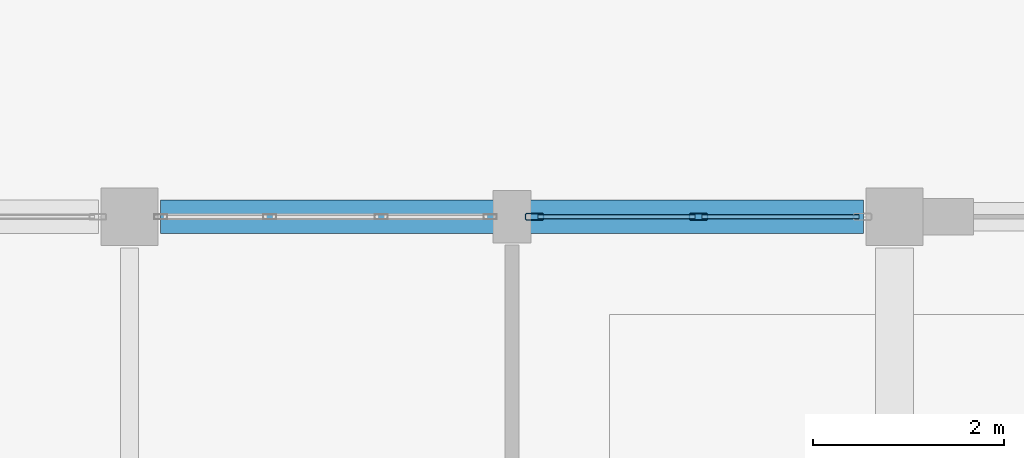
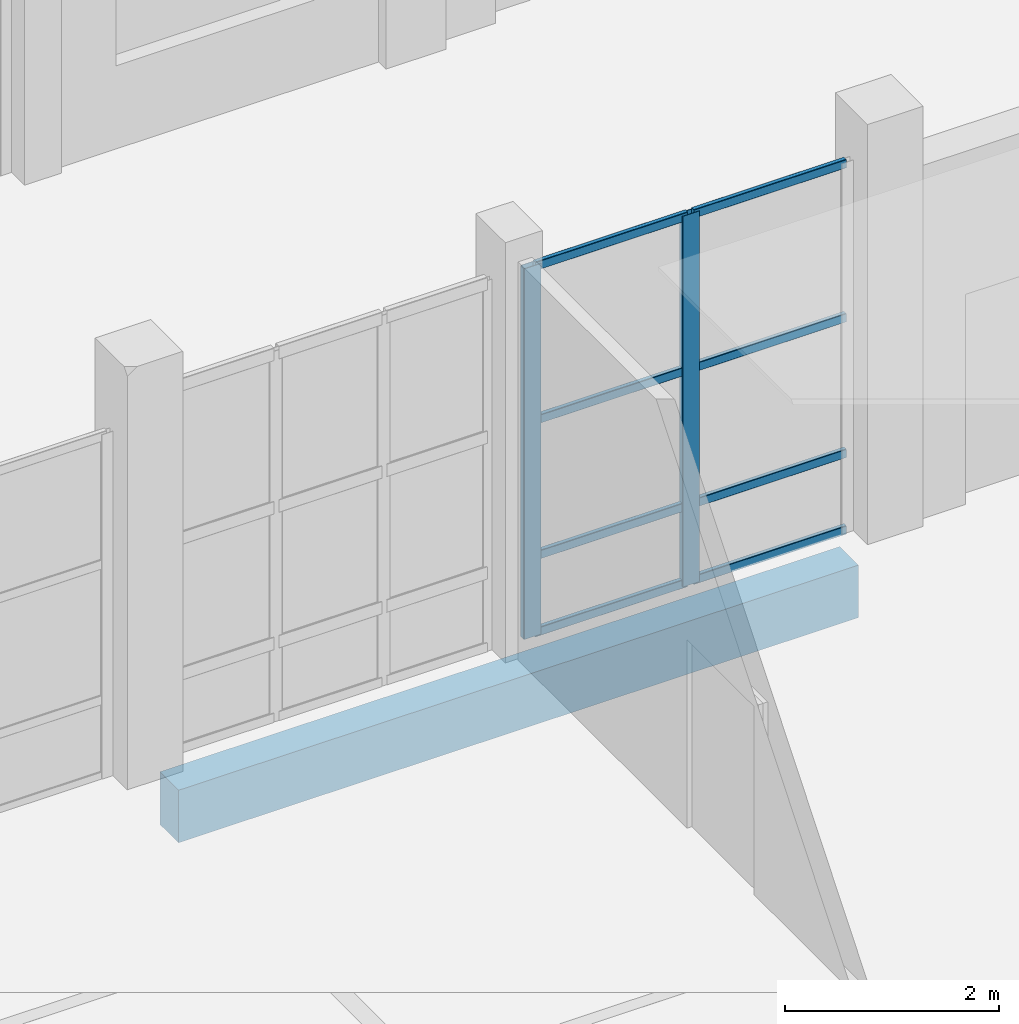
# One storey, part 65 of 156: 10 members, 1 beam, 1 element without a shape of its own.
"""IFC4 building model written with IfcOpenShell, lengths in metres."""

from ifc_helpers import new_model, si_unit, direction, frame, origin, origin_2d, place, context, subcontext, project, spatial, rectangle, hollow_rectangle, extrude, material, material_profile, profile_set, type_object, element, aggregate, save


model = new_model("IFC4")

# Units and contexts
model_context = context("Model", 3, precision=1e-05, world=origin(), true_north=direction((0.0, 1.0)))
body_context = subcontext(model_context, "Body", "Model", "MODEL_VIEW")
ifc_project = project(units=[si_unit("LENGTHUNIT", "METRE"), si_unit("AREAUNIT", "SQUARE_METRE"), si_unit("VOLUMEUNIT", "CUBIC_METRE"), si_unit("PLANEANGLEUNIT", "RADIAN"), si_unit("MASSUNIT", "GRAM", prefix="KILO")], contexts=[model_context])

# Site, building, storey
site_placement = place(None, origin())
site = spatial("IfcSite", under=ifc_project, at=site_placement, CompositionType="ELEMENT")
building_placement = place(site_placement, origin())
building = spatial("IfcBuilding", under=site, at=building_placement, Name="Luwemba Playhouse", CompositionType="ELEMENT")
storey_placement = place(building_placement, origin())
storey = spatial("IfcBuildingStorey", under=building, at=storey_placement, Name="L00", CompositionType="ELEMENT", Elevation=0.0)

# Beam
ifc_material_1 = material(Name="Concrete C40/50", Category="concrete")
ifc_material_profile_1 = material_profile(ifc_material_1, rectangle(XDim=0.35009765625, YDim=0.60009765625, at=origin_2d()))
ifc_profile_set_1 = profile_set([ifc_material_profile_1], Name="Concrete C40/50")
beam_type = type_object("IfcBeamType", Name="BM-SP3", PredefinedType="SPANDREL", material=ifc_profile_set_1)
beam_placement = place(storey_placement, frame((140.324951171875, 27.0, -0.60009765625), z_axis=(1.0, 0.0, 0.0), x_axis=(0.0, 1.0, 0.0)))
element("IfcBeam", 1, at=beam_placement, inside=storey, type_object=beam_type, Name="L00 grid girder 0226", PredefinedType="SPANDREL", context=body_context, shape_type="SweptSolid", body=[
    extrude(rectangle(XDim=0.35009765625, YDim=0.60009765625, at=origin_2d()), origin(), (0.0, 0.0, 1.0), 7.35009765625),
])

# Curtain wall, members
ifc_material_2 = material(Name="Solar-control double glazing", Category="glass")
curtain_wall_type = type_object("IfcCurtainWallType", Name="CW-CW53", PredefinedType="USERDEFINED", material=ifc_material_2)
curtain_wall_placement = place(storey_placement, origin())
curtain_wall = element("IfcCurtainWall", 2, at=curtain_wall_placement, inside=storey, type_object=curtain_wall_type, Name="L00 V5E unitised curtain wall 062", ObjectType="UNITISED GLAZING", PredefinedType="USERDEFINED")
ifc_material_3 = material(Name="Aluminium 6063-T6", Category="aluminium")
ifc_material_profile_2 = material_profile(ifc_material_3, hollow_rectangle(XDim=0.070068359375, YDim=0.18994140625, WallThickness=0.0048828125, InnerFilletRadius=0.007568359375, OuterFilletRadius=0.012451171875, at=origin_2d()))
ifc_profile_set_2 = profile_set([ifc_material_profile_2], Name="Aluminium 6063-T6")
member_type_1 = type_object("IfcMemberType", Name="CWM-M4", PredefinedType="MULLION", material=ifc_profile_set_2)
member_1_placement = place(storey_placement, frame((144.235107421875, 27.0, 0.0), z_axis=(0.0, 0.0, 1.0), x_axis=(0.0, 1.0, 0.0)))
member_1 = element("IfcMember", 3, at=member_1_placement, type_object=member_type_1, Name="CW53 mullion 1", PredefinedType="MULLION", context=body_context, shape_type="SweptSolid", body=[
    extrude(hollow_rectangle(XDim=0.070068359375, YDim=0.18994140625, WallThickness=0.0048828125, InnerFilletRadius=0.007568359375, OuterFilletRadius=0.012451171875, at=origin_2d()), origin(), (0.0, 0.0, 1.0), 4.235107421875),
])
member_2_placement = place(storey_placement, frame((145.949951171875, 27.0, 0.0), z_axis=(0.0, 0.0, 1.0), x_axis=(0.0, 1.0, 0.0)))
member_2 = element("IfcMember", 4, at=member_2_placement, type_object=member_type_1, Name="CW53 mullion 2", PredefinedType="MULLION", context=body_context, shape_type="SweptSolid", body=[
    extrude(hollow_rectangle(XDim=0.070068359375, YDim=0.18994140625, WallThickness=0.0048828125, InnerFilletRadius=0.007568359375, OuterFilletRadius=0.012451171875, at=origin_2d()), origin(), (0.0, 0.0, 1.0), 4.235107421875),
])
ifc_material_profile_3 = material_profile(ifc_material_3, hollow_rectangle(XDim=0.050048828125, YDim=0.10009765625, WallThickness=0.00341796875, InnerFilletRadius=0.00537109375, OuterFilletRadius=0.0087890625, at=origin_2d()))
ifc_profile_set_3 = profile_set([ifc_material_profile_3], Name="Aluminium 6063-T6")
member_type_2 = type_object("IfcMemberType", Name="CWT-T4", PredefinedType="USERDEFINED", material=ifc_profile_set_3)
member_3_placement = place(storey_placement, frame((144.27001953125, 27.0, 0.02490234375), z_axis=(1.0, 0.0, 0.0), x_axis=(0.0, 1.0, 0.0)))
member_3 = element("IfcMember", 5, at=member_3_placement, type_object=member_type_2, Name="CW53 transom 1.1", ObjectType="TRANSOM", PredefinedType="USERDEFINED", context=body_context, shape_type="SweptSolid", body=[
    extrude(hollow_rectangle(XDim=0.050048828125, YDim=0.10009765625, WallThickness=0.00341796875, InnerFilletRadius=0.00537109375, OuterFilletRadius=0.0087890625, at=origin_2d()), origin(), (0.0, 0.0, 1.0), 1.64501953125),
])
member_4_placement = place(storey_placement, frame((144.27001953125, 27.0, 0.89990234375), z_axis=(1.0, 0.0, 0.0), x_axis=(0.0, 1.0, 0.0)))
member_4 = element("IfcMember", 6, at=member_4_placement, type_object=member_type_2, Name="CW53 transom 1.2", ObjectType="TRANSOM", PredefinedType="USERDEFINED", context=body_context, shape_type="SweptSolid", body=[
    extrude(hollow_rectangle(XDim=0.050048828125, YDim=0.10009765625, WallThickness=0.00341796875, InnerFilletRadius=0.00537109375, OuterFilletRadius=0.0087890625, at=origin_2d()), origin(), (0.0, 0.0, 1.0), 1.64501953125),
])
member_5_placement = place(storey_placement, frame((144.27001953125, 27.0, 2.449951171875), z_axis=(1.0, 0.0, 0.0), x_axis=(0.0, 1.0, 0.0)))
member_5 = element("IfcMember", 7, at=member_5_placement, type_object=member_type_2, Name="CW53 transom 1.3", ObjectType="TRANSOM", PredefinedType="USERDEFINED", context=body_context, shape_type="SweptSolid", body=[
    extrude(hollow_rectangle(XDim=0.050048828125, YDim=0.10009765625, WallThickness=0.00341796875, InnerFilletRadius=0.00537109375, OuterFilletRadius=0.0087890625, at=origin_2d()), origin(), (0.0, 0.0, 1.0), 1.64501953125),
])
member_6_placement = place(storey_placement, frame((144.27001953125, 27.0, 4.2099609375), z_axis=(1.0, 0.0, 0.0), x_axis=(0.0, 1.0, 0.0)))
member_6 = element("IfcMember", 8, at=member_6_placement, type_object=member_type_2, Name="CW53 transom 1.4", ObjectType="TRANSOM", PredefinedType="USERDEFINED", context=body_context, shape_type="SweptSolid", body=[
    extrude(hollow_rectangle(XDim=0.050048828125, YDim=0.10009765625, WallThickness=0.00341796875, InnerFilletRadius=0.00537109375, OuterFilletRadius=0.0087890625, at=origin_2d()), origin(), (0.0, 0.0, 1.0), 1.64501953125),
])
member_7_placement = place(storey_placement, frame((145.985107421875, 27.0, 0.02490234375), z_axis=(1.0, 0.0, 0.0), x_axis=(0.0, 1.0, 0.0)))
member_7 = element("IfcMember", 9, at=member_7_placement, type_object=member_type_2, Name="CW53 transom 2.1", ObjectType="TRANSOM", PredefinedType="USERDEFINED", context=body_context, shape_type="SweptSolid", body=[
    extrude(hollow_rectangle(XDim=0.050048828125, YDim=0.10009765625, WallThickness=0.00341796875, InnerFilletRadius=0.00537109375, OuterFilletRadius=0.0087890625, at=origin_2d()), origin(), (0.0, 0.0, 1.0), 1.644775390625),
])
member_8_placement = place(storey_placement, frame((145.985107421875, 27.0, 0.89990234375), z_axis=(1.0, 0.0, 0.0), x_axis=(0.0, 1.0, 0.0)))
member_8 = element("IfcMember", 10, at=member_8_placement, type_object=member_type_2, Name="CW53 transom 2.2", ObjectType="TRANSOM", PredefinedType="USERDEFINED", context=body_context, shape_type="SweptSolid", body=[
    extrude(hollow_rectangle(XDim=0.050048828125, YDim=0.10009765625, WallThickness=0.00341796875, InnerFilletRadius=0.00537109375, OuterFilletRadius=0.0087890625, at=origin_2d()), origin(), (0.0, 0.0, 1.0), 1.644775390625),
])
member_9_placement = place(storey_placement, frame((145.985107421875, 27.0, 2.449951171875), z_axis=(1.0, 0.0, 0.0), x_axis=(0.0, 1.0, 0.0)))
member_9 = element("IfcMember", 11, at=member_9_placement, type_object=member_type_2, Name="CW53 transom 2.3", ObjectType="TRANSOM", PredefinedType="USERDEFINED", context=body_context, shape_type="SweptSolid", body=[
    extrude(hollow_rectangle(XDim=0.050048828125, YDim=0.10009765625, WallThickness=0.00341796875, InnerFilletRadius=0.00537109375, OuterFilletRadius=0.0087890625, at=origin_2d()), origin(), (0.0, 0.0, 1.0), 1.644775390625),
])
member_10_placement = place(storey_placement, frame((145.985107421875, 27.0, 4.2099609375), z_axis=(1.0, 0.0, 0.0), x_axis=(0.0, 1.0, 0.0)))
member_10 = element("IfcMember", 12, at=member_10_placement, type_object=member_type_2, Name="CW53 transom 2.4", ObjectType="TRANSOM", PredefinedType="USERDEFINED", context=body_context, shape_type="SweptSolid", body=[
    extrude(hollow_rectangle(XDim=0.050048828125, YDim=0.10009765625, WallThickness=0.00341796875, InnerFilletRadius=0.00537109375, OuterFilletRadius=0.0087890625, at=origin_2d()), origin(), (0.0, 0.0, 1.0), 1.644775390625),
])
aggregate(curtain_wall, [member_1, member_2, member_3, member_4, member_5, member_6, member_7, member_8, member_9, member_10])

save(model, "model.ifc")
